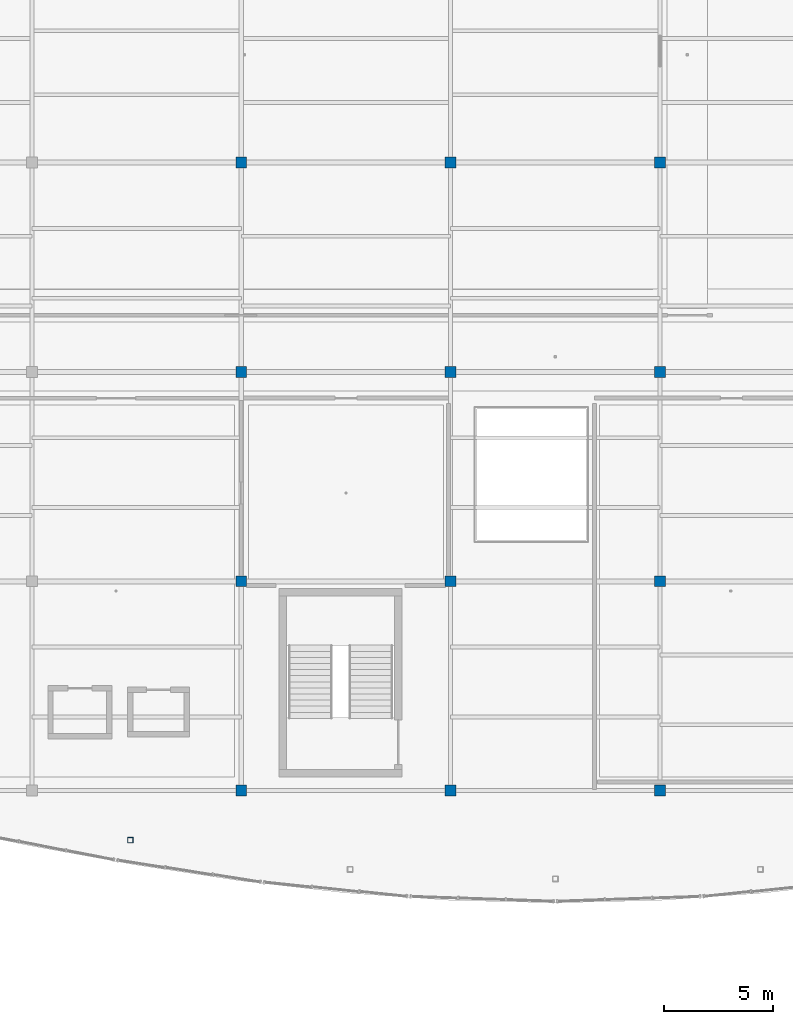
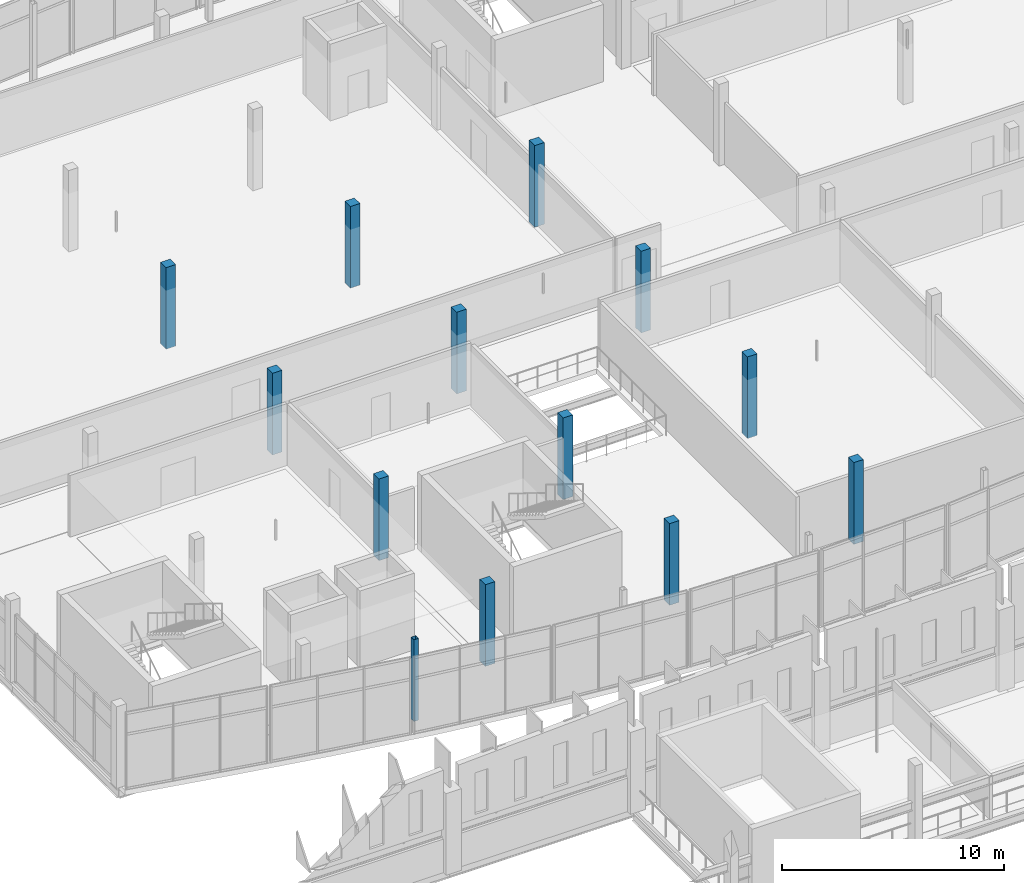
# One storey, part 9 of 114: 13 columns.
"""IFC4 building model written with IfcOpenShell, lengths in metres."""

import ifcopenshell
import ifcopenshell.guid

model = None  # the IFC model being written
_history = None  # IfcOwnerHistory: only IFC2X3 demands one
_inside = {}  # id of a spatial element -> (the spatial element, [elements in it])
_under = {}  # id of a project, library or spatial element -> (it, [spatial elements below it])
_declared = {}  # id of a project -> (the project, [libraries it declares])
_typed = {}  # id of a type object -> (the type object, [elements of that type])
_made_of = {}  # id of a material, layer set ... -> (it, [elements and type objects made of it])


def new_model(schema):
    """Start an empty IFC model of exactly this schema.

    Asked for "IFC4X3", IfcOpenShell would pick the latest addendum, in which some entities
    have other attributes; the version numbers below select the first issue.
    IFC2X3 requires an IfcOwnerHistory on every rooted entity: one is made here for all.
    """
    global model, _history
    if schema == "IFC4X3":
        model = ifcopenshell.file(schema_version=(4, 3, 0, 0))
    else:
        model = ifcopenshell.file(schema=schema)
    _inside.clear()
    _under.clear()
    _declared.clear()
    _typed.clear()
    _made_of.clear()
    _history = None
    if model.schema == "IFC2X3":
        org = make("IfcOrganization", Name="unknown")
        user = make(
            "IfcPersonAndOrganization",
            ThePerson=make("IfcPerson", FamilyName="unknown"),
            TheOrganization=org,
        )
        app = make(
            "IfcApplication",
            ApplicationDeveloper=org,
            Version="unknown",
            ApplicationFullName="unknown",
            ApplicationIdentifier="unknown",
        )
        _history = make(
            "IfcOwnerHistory",
            OwningUser=user,
            OwningApplication=app,
            ChangeAction="ADDED",
            CreationDate=0,
        )
    return model


def make(cls, **values):
    """One entity of the class cls with the attributes given. An attribute that is None is left unset."""
    return model.create_entity(
        cls, **{name: value for name, value in values.items() if value is not None}
    )


def rooted(cls, **values):
    """An entity with a GlobalId (a new one), such as an element, a storey or a relation."""
    return make(cls, GlobalId=ifcopenshell.guid.new(), OwnerHistory=_history, **values)


def si_unit(unit_type, name, prefix=None):
    """IfcSIUnit, for example si_unit("LENGTHUNIT", "METRE", prefix="MILLI")."""
    return make("IfcSIUnit", UnitType=unit_type, Prefix=prefix, Name=name)


def assignment(units):
    """IfcUnitAssignment: the units of a project."""
    return None if units is None else make("IfcUnitAssignment", Units=units)


def point(xyz):
    """IfcCartesianPoint."""
    return None if xyz is None else make("IfcCartesianPoint", Coordinates=xyz)


def direction(xyz):
    """IfcDirection."""
    return None if xyz is None else make("IfcDirection", DirectionRatios=xyz)


def frame(location, z_axis=None, x_axis=None):
    """IfcAxis2Placement3D, a coordinate frame: its origin and axes. An axis left out is left unset."""
    return make(
        "IfcAxis2Placement3D",
        Location=point(location),
        Axis=direction(z_axis),
        RefDirection=direction(x_axis),
    )


def frame_2d(location, x_axis=None):
    """IfcAxis2Placement2D, a coordinate frame in the plane: its origin and x axis."""
    return make(
        "IfcAxis2Placement2D", Location=point(location), RefDirection=direction(x_axis)
    )


def origin():
    """The frame at (0, 0, 0) with its axes left unset."""
    return frame((0.0, 0.0, 0.0))


def origin_2d():
    """The frame at (0, 0) in the plane with its x axis left unset."""
    return frame_2d((0.0, 0.0))


def place(relative_to, where):
    """IfcLocalPlacement: puts the frame where relative to a parent placement (None: the world)."""
    return make(
        "IfcLocalPlacement", PlacementRelTo=relative_to, RelativePlacement=where
    )


def context(
    kind, dimensions, precision=None, world=None, true_north=None, identifier=None
):
    """IfcGeometricRepresentationContext, for example the 3D "Model" context."""
    return make(
        "IfcGeometricRepresentationContext",
        ContextIdentifier=identifier,
        ContextType=kind,
        CoordinateSpaceDimension=dimensions,
        Precision=precision,
        WorldCoordinateSystem=world,
        TrueNorth=true_north,
    )


def subcontext(parent, identifier, kind, view, scale=None):
    """IfcGeometricRepresentationSubContext, for example "Body" below "Model"."""
    return make(
        "IfcGeometricRepresentationSubContext",
        ContextIdentifier=identifier,
        ContextType=kind,
        ParentContext=parent,
        TargetScale=scale,
        TargetView=view,
    )


def project(units=None, contexts=None):
    """IfcProject with its units and contexts."""
    return rooted(
        "IfcProject",
        Name="project",
        RepresentationContexts=contexts,
        UnitsInContext=assignment(units),
    )


def spatial(cls, under=None, at=None, **own):
    """A site, building, storey or space (cls), placed at a placement, below another one or the project."""
    s = rooted(cls, ObjectPlacement=at, **own)
    if under is not None:
        _under.setdefault(under.id(), (under, []))[1].append(s)
    return s


def profile(cls, at=None, kind="AREA", **sizes):
    """A parametric profile (cls). Its sizes go by their IFC names, for example OverallWidth=200.0."""
    return make(cls, ProfileType=kind, Position=at, **sizes)


def rectangle(**sizes):
    """IfcRectangleProfileDef."""
    return profile("IfcRectangleProfileDef", **sizes)


def hollow_rectangle(**sizes):
    """IfcRectangleHollowProfileDef."""
    return profile("IfcRectangleHollowProfileDef", **sizes)


def extrude(swept, where, along, depth):
    """IfcExtrudedAreaSolid: the profile swept, set in the frame where, extruded along a direction by depth."""
    return make(
        "IfcExtrudedAreaSolid",
        SweptArea=swept,
        Position=where,
        ExtrudedDirection=direction(along),
        Depth=depth,
    )


def shape(context_of_items, identifier, shape_type, items):
    """IfcShapeRepresentation: the items that make up one representation, for example the "Body"."""
    return make(
        "IfcShapeRepresentation",
        ContextOfItems=context_of_items,
        RepresentationIdentifier=identifier,
        RepresentationType=shape_type,
        Items=items,
    )


def material(Name=None, Category=None):
    """IfcMaterial."""
    return make("IfcMaterial", Name=Name, Category=Category)


def material_profile(
    of_material, cross_section, Name=None, Category=None, Priority=None
):
    """IfcMaterialProfile: a cross section and its material."""
    return make(
        "IfcMaterialProfile",
        Name=Name,
        Material=of_material,
        Profile=cross_section,
        Priority=Priority,
        Category=Category,
    )


def profile_set(profiles, Name=None, composite=None):
    """IfcMaterialProfileSet."""
    return make(
        "IfcMaterialProfileSet",
        Name=Name,
        MaterialProfiles=profiles,
        CompositeProfile=composite,
    )


def made_of(thing, what):
    """Note that an element or type object is made of a material, layer set ...; save() writes the relation."""
    if what is not None:
        _made_of.setdefault(what.id(), (what, []))[1].append(thing)
    return thing


def type_object(cls, material=None, **own):
    """A type object (cls), such as IfcWallType, which elements share."""
    return made_of(rooted(cls, **own), material)


def element(
    cls,
    number,
    at=None,
    inside=None,
    cuts=None,
    type_object=None,
    material=None,
    context=None,
    identifier="Body",
    shape_type=None,
    held_by="IfcProductDefinitionShape",
    body=None,
    shapes=None,
    **own,
):
    """One element of the class cls, such as IfcWall. Its Tag is "e" and its number.

    at: its placement. inside: the storey or other place that contains it. cuts: it is an
    opening in that element (IfcRelVoidsElement). A single representation is given by context,
    identifier, shape_type and body (its items); several are given by shapes. held_by: the class
    of the entity that holds the representations. save() writes the other relations.
    """
    e = rooted(cls, Tag="e%d" % number, ObjectPlacement=at, **own)
    if body is not None:
        shapes = [shape(context, identifier, shape_type, body)]
    if shapes is not None:
        e.Representation = make(held_by, Representations=shapes)
    if inside is not None:
        _inside.setdefault(inside.id(), (inside, []))[1].append(e)
    if cuts is not None:
        rooted(
            "IfcRelVoidsElement", RelatingBuildingElement=cuts, RelatedOpeningElement=e
        )
    if type_object is not None:
        _typed.setdefault(type_object.id(), (type_object, []))[1].append(e)
    return made_of(e, material)


def aggregate(whole, parts):
    """IfcRelAggregates: a whole, such as a stair, and the parts it consists of."""
    return rooted("IfcRelAggregates", RelatingObject=whole, RelatedObjects=parts)


def save(model, path):
    """Write the relations noted so far, then the file.

    IfcRelAggregates (storeys below a building ...), IfcRelContainedInSpatialStructure (elements
    in a storey), IfcRelDefinesByType, IfcRelAssociatesMaterial and IfcRelDeclares: one each for
    every whole, place, type object, material and project.
    """
    for whole, parts in _under.values():
        aggregate(whole, parts)
    for where, things in _inside.values():
        rooted(
            "IfcRelContainedInSpatialStructure",
            RelatedElements=things,
            RelatingStructure=where,
        )
    for kind, things in _typed.values():
        rooted("IfcRelDefinesByType", RelatedObjects=things, RelatingType=kind)
    for what, things in _made_of.values():
        rooted("IfcRelAssociatesMaterial", RelatedObjects=things, RelatingMaterial=what)
    for by, libraries in _declared.values():
        rooted("IfcRelDeclares", RelatingContext=by, RelatedDefinitions=libraries)
    model.write(path)


model = new_model("IFC4")

# Units and contexts
model_context = context("Model", 3, precision=1e-05, world=origin(), true_north=direction((0.0, 1.0)))
body_context = subcontext(model_context, "Body", "Model", "MODEL_VIEW")
ifc_project = project(units=[si_unit("LENGTHUNIT", "METRE"), si_unit("AREAUNIT", "SQUARE_METRE"), si_unit("VOLUMEUNIT", "CUBIC_METRE"), si_unit("PLANEANGLEUNIT", "RADIAN"), si_unit("MASSUNIT", "GRAM", prefix="KILO")], contexts=[model_context])

# Site, building, storey
site_placement = place(None, origin())
site = spatial("IfcSite", under=ifc_project, at=site_placement, CompositionType="ELEMENT")
building_placement = place(site_placement, origin())
building = spatial("IfcBuilding", under=site, at=building_placement, Name="Chalmorin Arch Market", CompositionType="ELEMENT")
storey_placement = place(building_placement, frame((0.0, 0.0, 9.60009765625)))
storey = spatial("IfcBuildingStorey", under=building, at=storey_placement, Name="L02", CompositionType="ELEMENT", Elevation=9.60009765625)

# Columns
ifc_material_1 = material(Name="Steel A500 Grade C", Category="steel")
ifc_material_profile_1 = material_profile(ifc_material_1, hollow_rectangle(XDim=0.25390625, YDim=0.25390625, WallThickness=0.01171875, at=origin_2d()), Name="HSS10X10X1/2")
ifc_profile_set_1 = profile_set([ifc_material_profile_1], Name="Steel A500 Grade C")
column_type_1 = type_object("IfcColumnType", Name="SteelTubeColumn-HSS10X10", PredefinedType="COLUMN", material=ifc_profile_set_1)
column_placement = place(storey_placement, frame((62.112060546875, 69.73095703125, 0.0), z_axis=(0.0, 0.0, 1.0), x_axis=(1.0, 0.0, 0.0)))
element("IfcColumn", 1, at=column_placement, inside=storey, type_object=column_type_1, Name="C-HS2-710", PredefinedType="COLUMN", context=body_context, shape_type="SweptSolid", body=[
    extrude(hollow_rectangle(XDim=0.25390625, YDim=0.25390625, WallThickness=0.01171875, at=origin_2d()), origin(), (0.0, 0.0, 1.0), 4.5),
])
ifc_material_2 = material(Name="Concrete C40/50", Category="concrete")
ifc_material_profile_2 = material_profile(ifc_material_2, rectangle(XDim=0.5, YDim=0.5, at=origin_2d()), Name="RC500X500")
ifc_profile_set_2 = profile_set([ifc_material_profile_2], Name="Concrete C40/50")
column_type_2 = type_object("IfcColumnType", Name="UpperConcreteColumn-500x500", PredefinedType="COLUMN", material=ifc_profile_set_2)
for number, where, z_axis, x_axis, name in (
    (2, (67.199951171875, 72.0, 0.0), (0.0, 0.0, 1.0), (1.0, 0.0, 0.0), "C-RC3-338"),
    (3, (67.199951171875, 81.60009765625, 0.0), (0.0, 0.0, 1.0), (1.0, 0.0, 0.0), "C-RC3-343"),
    (4, (67.199951171875, 91.199951171875, 0.0), (0.0, 0.0, 1.0), (1.0, 0.0, 0.0), "C-RC3-348"),
    (5, (67.199951171875, 100.800048828125, 0.0), (0.0, 0.0, 1.0), (1.0, 0.0, 0.0), "C-RC3-353"),
    (6, (76.800048828125, 72.0, 0.0), (0.0, 0.0, 1.0), (1.0, 0.0, 0.0), "C-RC3-393"),
    (7, (76.800048828125, 81.60009765625, 0.0), (0.0, 0.0, 1.0), (1.0, 0.0, 0.0), "C-RC3-398"),
    (8, (76.800048828125, 91.199951171875, 0.0), (0.0, 0.0, 1.0), (1.0, 0.0, 0.0), "C-RC3-403"),
    (9, (76.800048828125, 100.800048828125, 0.0), (0.0, 0.0, 1.0), (1.0, 0.0, 0.0), "C-RC3-408"),
    (10, (86.39990234375, 72.0, 0.0), (0.0, 0.0, 1.0), (1.0, 0.0, 0.0), "C-RC3-448"),
    (11, (86.39990234375, 81.60009765625, 0.0), (0.0, 0.0, 1.0), (1.0, 0.0, 0.0), "C-RC3-453"),
    (12, (86.39990234375, 91.199951171875, 0.0), (0.0, 0.0, 1.0), (1.0, 0.0, 0.0), "C-RC3-458"),
    (13, (86.39990234375, 100.800048828125, 0.0), (0.0, 0.0, 1.0), (1.0, 0.0, 0.0), "C-RC3-463"),
):
    element("IfcColumn", number, at=place(storey_placement, frame(where, z_axis=z_axis, x_axis=x_axis)), inside=storey, type_object=column_type_2, Name=name, PredefinedType="COLUMN", context=body_context, shape_type="SweptSolid", body=[
        extrude(rectangle(XDim=0.5, YDim=0.5, at=origin_2d()), origin(), (0.0, 0.0, 1.0), 4.5),
    ])

save(model, "model.ifc")
